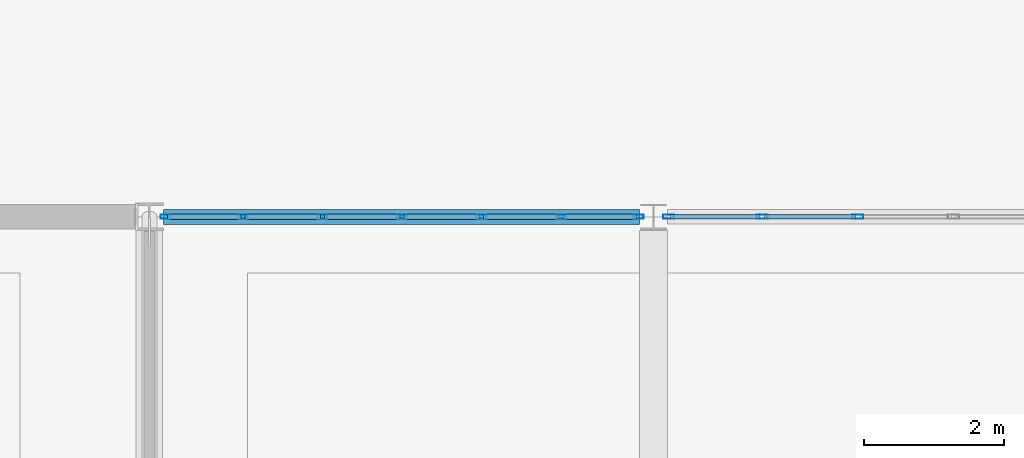
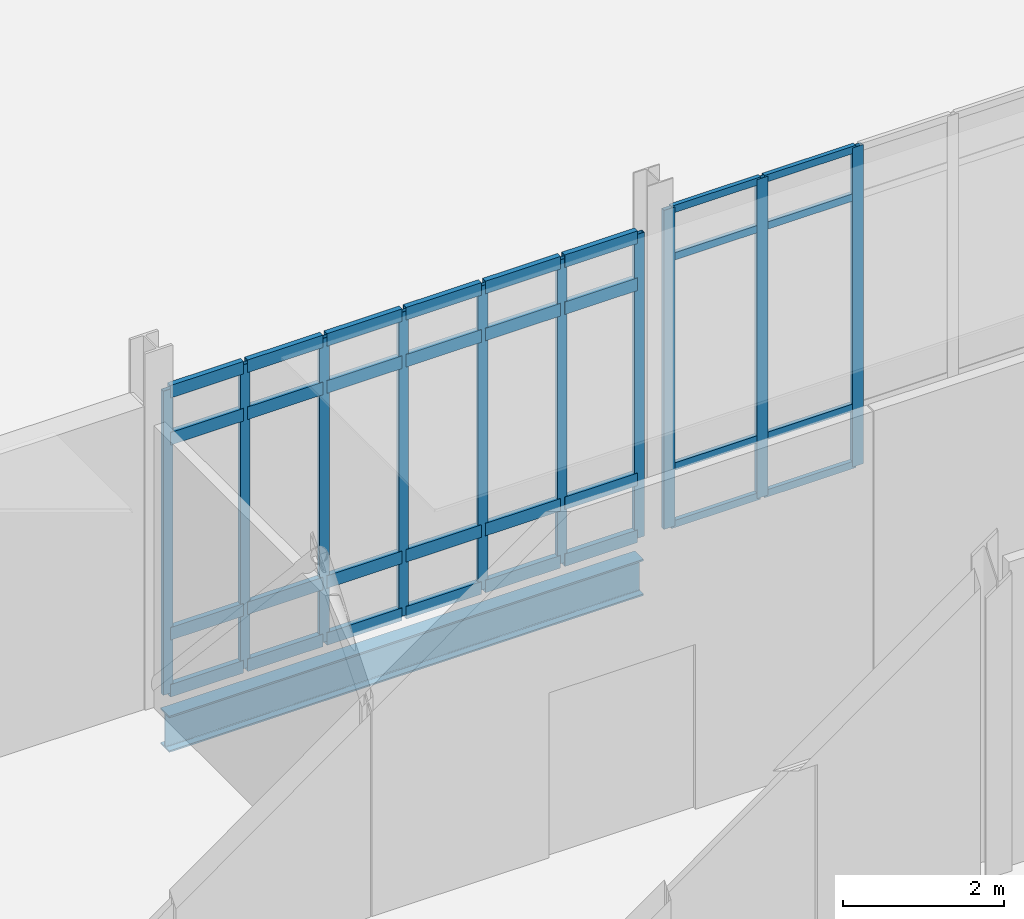
# One storey, part 127 of 229: 42 members, 1 beam, 2 elements without a shape of their own.
"""IFC4 building model written with IfcOpenShell, lengths in metres."""

import ifcopenshell
import ifcopenshell.guid

model = None  # the IFC model being written
_history = None  # IfcOwnerHistory: only IFC2X3 demands one
_inside = {}  # id of a spatial element -> (the spatial element, [elements in it])
_under = {}  # id of a project, library or spatial element -> (it, [spatial elements below it])
_declared = {}  # id of a project -> (the project, [libraries it declares])
_typed = {}  # id of a type object -> (the type object, [elements of that type])
_made_of = {}  # id of a material, layer set ... -> (it, [elements and type objects made of it])


def new_model(schema):
    """Start an empty IFC model of exactly this schema.

    Asked for "IFC4X3", IfcOpenShell would pick the latest addendum, in which some entities
    have other attributes; the version numbers below select the first issue.
    IFC2X3 requires an IfcOwnerHistory on every rooted entity: one is made here for all.
    """
    global model, _history
    if schema == "IFC4X3":
        model = ifcopenshell.file(schema_version=(4, 3, 0, 0))
    else:
        model = ifcopenshell.file(schema=schema)
    _inside.clear()
    _under.clear()
    _declared.clear()
    _typed.clear()
    _made_of.clear()
    _history = None
    if model.schema == "IFC2X3":
        org = make("IfcOrganization", Name="unknown")
        user = make(
            "IfcPersonAndOrganization",
            ThePerson=make("IfcPerson", FamilyName="unknown"),
            TheOrganization=org,
        )
        app = make(
            "IfcApplication",
            ApplicationDeveloper=org,
            Version="unknown",
            ApplicationFullName="unknown",
            ApplicationIdentifier="unknown",
        )
        _history = make(
            "IfcOwnerHistory",
            OwningUser=user,
            OwningApplication=app,
            ChangeAction="ADDED",
            CreationDate=0,
        )
    return model


def make(cls, **values):
    """One entity of the class cls with the attributes given. An attribute that is None is left unset."""
    return model.create_entity(
        cls, **{name: value for name, value in values.items() if value is not None}
    )


def rooted(cls, **values):
    """An entity with a GlobalId (a new one), such as an element, a storey or a relation."""
    return make(cls, GlobalId=ifcopenshell.guid.new(), OwnerHistory=_history, **values)


def si_unit(unit_type, name, prefix=None):
    """IfcSIUnit, for example si_unit("LENGTHUNIT", "METRE", prefix="MILLI")."""
    return make("IfcSIUnit", UnitType=unit_type, Prefix=prefix, Name=name)


def assignment(units):
    """IfcUnitAssignment: the units of a project."""
    return None if units is None else make("IfcUnitAssignment", Units=units)


def point(xyz):
    """IfcCartesianPoint."""
    return None if xyz is None else make("IfcCartesianPoint", Coordinates=xyz)


def direction(xyz):
    """IfcDirection."""
    return None if xyz is None else make("IfcDirection", DirectionRatios=xyz)


def frame(location, z_axis=None, x_axis=None):
    """IfcAxis2Placement3D, a coordinate frame: its origin and axes. An axis left out is left unset."""
    return make(
        "IfcAxis2Placement3D",
        Location=point(location),
        Axis=direction(z_axis),
        RefDirection=direction(x_axis),
    )


def frame_2d(location, x_axis=None):
    """IfcAxis2Placement2D, a coordinate frame in the plane: its origin and x axis."""
    return make(
        "IfcAxis2Placement2D", Location=point(location), RefDirection=direction(x_axis)
    )


def origin():
    """The frame at (0, 0, 0) with its axes left unset."""
    return frame((0.0, 0.0, 0.0))


def origin_2d():
    """The frame at (0, 0) in the plane with its x axis left unset."""
    return frame_2d((0.0, 0.0))


def place(relative_to, where):
    """IfcLocalPlacement: puts the frame where relative to a parent placement (None: the world)."""
    return make(
        "IfcLocalPlacement", PlacementRelTo=relative_to, RelativePlacement=where
    )


def context(
    kind, dimensions, precision=None, world=None, true_north=None, identifier=None
):
    """IfcGeometricRepresentationContext, for example the 3D "Model" context."""
    return make(
        "IfcGeometricRepresentationContext",
        ContextIdentifier=identifier,
        ContextType=kind,
        CoordinateSpaceDimension=dimensions,
        Precision=precision,
        WorldCoordinateSystem=world,
        TrueNorth=true_north,
    )


def subcontext(parent, identifier, kind, view, scale=None):
    """IfcGeometricRepresentationSubContext, for example "Body" below "Model"."""
    return make(
        "IfcGeometricRepresentationSubContext",
        ContextIdentifier=identifier,
        ContextType=kind,
        ParentContext=parent,
        TargetScale=scale,
        TargetView=view,
    )


def project(units=None, contexts=None):
    """IfcProject with its units and contexts."""
    return rooted(
        "IfcProject",
        Name="project",
        RepresentationContexts=contexts,
        UnitsInContext=assignment(units),
    )


def spatial(cls, under=None, at=None, **own):
    """A site, building, storey or space (cls), placed at a placement, below another one or the project."""
    s = rooted(cls, ObjectPlacement=at, **own)
    if under is not None:
        _under.setdefault(under.id(), (under, []))[1].append(s)
    return s


def profile(cls, at=None, kind="AREA", **sizes):
    """A parametric profile (cls). Its sizes go by their IFC names, for example OverallWidth=200.0."""
    return make(cls, ProfileType=kind, Position=at, **sizes)


def hollow_rectangle(**sizes):
    """IfcRectangleHollowProfileDef."""
    return profile("IfcRectangleHollowProfileDef", **sizes)


def i_section(**sizes):
    """IfcIShapeProfileDef."""
    return profile("IfcIShapeProfileDef", **sizes)


def extrude(swept, where, along, depth):
    """IfcExtrudedAreaSolid: the profile swept, set in the frame where, extruded along a direction by depth."""
    return make(
        "IfcExtrudedAreaSolid",
        SweptArea=swept,
        Position=where,
        ExtrudedDirection=direction(along),
        Depth=depth,
    )


def shape(context_of_items, identifier, shape_type, items):
    """IfcShapeRepresentation: the items that make up one representation, for example the "Body"."""
    return make(
        "IfcShapeRepresentation",
        ContextOfItems=context_of_items,
        RepresentationIdentifier=identifier,
        RepresentationType=shape_type,
        Items=items,
    )


def material(Name=None, Category=None):
    """IfcMaterial."""
    return make("IfcMaterial", Name=Name, Category=Category)


def layer(
    of_material, thickness, ventilated=None, Name=None, Category=None, Priority=None
):
    """IfcMaterialLayer: one layer of a wall or slab, of a material (None: an air gap)."""
    return make(
        "IfcMaterialLayer",
        Material=of_material,
        LayerThickness=thickness,
        IsVentilated=ventilated,
        Name=Name,
        Category=Category,
        Priority=Priority,
    )


def layer_set(layers, Name=None):
    """IfcMaterialLayerSet."""
    return make("IfcMaterialLayerSet", MaterialLayers=layers, LayerSetName=Name)


def material_profile(
    of_material, cross_section, Name=None, Category=None, Priority=None
):
    """IfcMaterialProfile: a cross section and its material."""
    return make(
        "IfcMaterialProfile",
        Name=Name,
        Material=of_material,
        Profile=cross_section,
        Priority=Priority,
        Category=Category,
    )


def profile_set(profiles, Name=None, composite=None):
    """IfcMaterialProfileSet."""
    return make(
        "IfcMaterialProfileSet",
        Name=Name,
        MaterialProfiles=profiles,
        CompositeProfile=composite,
    )


def made_of(thing, what):
    """Note that an element or type object is made of a material, layer set ...; save() writes the relation."""
    if what is not None:
        _made_of.setdefault(what.id(), (what, []))[1].append(thing)
    return thing


def type_object(cls, material=None, **own):
    """A type object (cls), such as IfcWallType, which elements share."""
    return made_of(rooted(cls, **own), material)


def element(
    cls,
    number,
    at=None,
    inside=None,
    cuts=None,
    type_object=None,
    material=None,
    context=None,
    identifier="Body",
    shape_type=None,
    held_by="IfcProductDefinitionShape",
    body=None,
    shapes=None,
    **own,
):
    """One element of the class cls, such as IfcWall. Its Tag is "e" and its number.

    at: its placement. inside: the storey or other place that contains it. cuts: it is an
    opening in that element (IfcRelVoidsElement). A single representation is given by context,
    identifier, shape_type and body (its items); several are given by shapes. held_by: the class
    of the entity that holds the representations. save() writes the other relations.
    """
    e = rooted(cls, Tag="e%d" % number, ObjectPlacement=at, **own)
    if body is not None:
        shapes = [shape(context, identifier, shape_type, body)]
    if shapes is not None:
        e.Representation = make(held_by, Representations=shapes)
    if inside is not None:
        _inside.setdefault(inside.id(), (inside, []))[1].append(e)
    if cuts is not None:
        rooted(
            "IfcRelVoidsElement", RelatingBuildingElement=cuts, RelatedOpeningElement=e
        )
    if type_object is not None:
        _typed.setdefault(type_object.id(), (type_object, []))[1].append(e)
    return made_of(e, material)


def aggregate(whole, parts):
    """IfcRelAggregates: a whole, such as a stair, and the parts it consists of."""
    return rooted("IfcRelAggregates", RelatingObject=whole, RelatedObjects=parts)


def save(model, path):
    """Write the relations noted so far, then the file.

    IfcRelAggregates (storeys below a building ...), IfcRelContainedInSpatialStructure (elements
    in a storey), IfcRelDefinesByType, IfcRelAssociatesMaterial and IfcRelDeclares: one each for
    every whole, place, type object, material and project.
    """
    for whole, parts in _under.values():
        aggregate(whole, parts)
    for where, things in _inside.values():
        rooted(
            "IfcRelContainedInSpatialStructure",
            RelatedElements=things,
            RelatingStructure=where,
        )
    for kind, things in _typed.values():
        rooted("IfcRelDefinesByType", RelatedObjects=things, RelatingType=kind)
    for what, things in _made_of.values():
        rooted("IfcRelAssociatesMaterial", RelatedObjects=things, RelatingMaterial=what)
    for by, libraries in _declared.values():
        rooted("IfcRelDeclares", RelatingContext=by, RelatedDefinitions=libraries)
    model.write(path)


model = new_model("IFC4")

# Units and contexts
model_context = context("Model", 3, precision=1e-05, world=origin(), true_north=direction((0.0, 1.0)))
body_context = subcontext(model_context, "Body", "Model", "MODEL_VIEW")
ifc_project = project(units=[si_unit("LENGTHUNIT", "METRE"), si_unit("AREAUNIT", "SQUARE_METRE"), si_unit("VOLUMEUNIT", "CUBIC_METRE"), si_unit("PLANEANGLEUNIT", "RADIAN"), si_unit("MASSUNIT", "GRAM", prefix="KILO")], contexts=[model_context])

# Site, building, storey
site_placement = place(None, origin())
site = spatial("IfcSite", under=ifc_project, at=site_placement, CompositionType="ELEMENT")
building_placement = place(site_placement, origin())
building = spatial("IfcBuilding", under=site, at=building_placement, Name="Calvrana Isthmian Art Gallery", CompositionType="ELEMENT")
storey_placement = place(building_placement, origin())
storey = spatial("IfcBuildingStorey", under=building, at=storey_placement, Name="L00", CompositionType="ELEMENT", Elevation=0.0)

# Beam
ifc_material_1 = material(Name="Steel ASTM A992 Gr 50", Category="steel")
ifc_material_profile_1 = material_profile(ifc_material_1, i_section(OverallWidth=0.214111328125, OverallDepth=0.549072265625, WebThickness=0.0146484375, FlangeThickness=0.023681640625, FilletRadius=0.02099609375, at=origin_2d()), Name="W21X93")
ifc_profile_set_1 = profile_set([ifc_material_profile_1], Name="Steel ASTM A992 Gr 50")
beam_type = type_object("IfcBeamType", Name="BM-G-W21X93", PredefinedType="BEAM", material=ifc_profile_set_1)
beam_placement = place(storey_placement, frame((141.799560546875, 46.800048828125, -0.5595703125), z_axis=(1.0, 0.0, 0.0), x_axis=(0.0, 1.0, 0.0)))
element("IfcBeam", 1, at=beam_placement, inside=storey, type_object=beam_type, Name="Girder X L00 19-20/G", PredefinedType="BEAM", context=body_context, shape_type="SweptSolid", body=[
    extrude(i_section(OverallWidth=0.214111328125, OverallDepth=0.549072265625, WebThickness=0.0146484375, FlangeThickness=0.023681640625, FilletRadius=0.02099609375, at=origin_2d()), origin(), (0.0, 0.0, 1.0), 6.801025390625),
])

# Curtain wall, members
ifc_material_2 = material(Name="Anodized bronze aluminium 6063-T6", Category="aluminium")
ifc_layer_1 = layer(ifc_material_2, 0.179931640625, Name="Anodized bronze aluminium 6063-T6")
ifc_layer_set_1 = layer_set([ifc_layer_1], Name="Anodized bronze aluminium 6063-T6")
curtain_wall_type_1 = type_object("IfcCurtainWallType", Name="CW-UNIT-068X46", PredefinedType="USERDEFINED", material=ifc_layer_set_1)
curtain_wall_1_placement = place(storey_placement, origin())
curtain_wall_1 = element("IfcCurtainWall", 2, at=curtain_wall_1_placement, inside=storey, type_object=curtain_wall_type_1, Name="Curtain wall CW-024", ObjectType="UNITISED CURTAIN WALL", PredefinedType="USERDEFINED")
ifc_material_profile_2 = material_profile(ifc_material_2, hollow_rectangle(XDim=0.06005859375, YDim=0.139892578125, WallThickness=0.00390625, at=origin_2d()), Name="CWM60X140")
ifc_profile_set_2 = profile_set([ifc_material_profile_2], Name="Anodized bronze aluminium 6063-T6")
member_type_1 = type_object("IfcMemberType", Name="CWM-CWM60X140", PredefinedType="MULLION", material=ifc_profile_set_2)
member_1_placement = place(storey_placement, frame((141.82958984375, 46.800048828125, 0.0), z_axis=(0.0, 0.0, 1.0), x_axis=(0.0, 1.0, 0.0)))
member_1 = element("IfcMember", 3, at=member_1_placement, type_object=member_type_1, Name="CW-024 mullion 1", PredefinedType="MULLION", context=body_context, shape_type="SweptSolid", body=[
    extrude(hollow_rectangle(XDim=0.06005859375, YDim=0.139892578125, WallThickness=0.00390625, at=origin_2d()), origin(), (0.0, 0.0, 1.0), 4.60693359375),
])
member_2_placement = place(storey_placement, frame((142.935546875, 46.800048828125, 0.0), z_axis=(0.0, 0.0, 1.0), x_axis=(0.0, 1.0, 0.0)))
member_2 = element("IfcMember", 4, at=member_2_placement, type_object=member_type_1, Name="CW-024 mullion 2", PredefinedType="MULLION", context=body_context, shape_type="SweptSolid", body=[
    extrude(hollow_rectangle(XDim=0.06005859375, YDim=0.139892578125, WallThickness=0.00390625, at=origin_2d()), origin(), (0.0, 0.0, 1.0), 4.60693359375),
])
member_3_placement = place(storey_placement, frame((144.07177734375, 46.800048828125, 0.0), z_axis=(0.0, 0.0, 1.0), x_axis=(0.0, 1.0, 0.0)))
member_3 = element("IfcMember", 5, at=member_3_placement, type_object=member_type_1, Name="CW-024 mullion 3", PredefinedType="MULLION", context=body_context, shape_type="SweptSolid", body=[
    extrude(hollow_rectangle(XDim=0.06005859375, YDim=0.139892578125, WallThickness=0.00390625, at=origin_2d()), origin(), (0.0, 0.0, 1.0), 4.60693359375),
])
member_4_placement = place(storey_placement, frame((145.207763671875, 46.800048828125, 0.0), z_axis=(0.0, 0.0, 1.0), x_axis=(0.0, 1.0, 0.0)))
member_4 = element("IfcMember", 6, at=member_4_placement, type_object=member_type_1, Name="CW-024 mullion 4", PredefinedType="MULLION", context=body_context, shape_type="SweptSolid", body=[
    extrude(hollow_rectangle(XDim=0.06005859375, YDim=0.139892578125, WallThickness=0.00390625, at=origin_2d()), origin(), (0.0, 0.0, 1.0), 4.60693359375),
])
member_5_placement = place(storey_placement, frame((146.34375, 46.800048828125, 0.0), z_axis=(0.0, 0.0, 1.0), x_axis=(0.0, 1.0, 0.0)))
member_5 = element("IfcMember", 7, at=member_5_placement, type_object=member_type_1, Name="CW-024 mullion 5", PredefinedType="MULLION", context=body_context, shape_type="SweptSolid", body=[
    extrude(hollow_rectangle(XDim=0.06005859375, YDim=0.139892578125, WallThickness=0.00390625, at=origin_2d()), origin(), (0.0, 0.0, 1.0), 4.60693359375),
])
member_6_placement = place(storey_placement, frame((147.47998046875, 46.800048828125, 0.0), z_axis=(0.0, 0.0, 1.0), x_axis=(0.0, 1.0, 0.0)))
member_6 = element("IfcMember", 8, at=member_6_placement, type_object=member_type_1, Name="CW-024 mullion 6", PredefinedType="MULLION", context=body_context, shape_type="SweptSolid", body=[
    extrude(hollow_rectangle(XDim=0.06005859375, YDim=0.139892578125, WallThickness=0.00390625, at=origin_2d()), origin(), (0.0, 0.0, 1.0), 4.60693359375),
])
member_7_placement = place(storey_placement, frame((148.5859375, 46.800048828125, 0.0), z_axis=(0.0, 0.0, 1.0), x_axis=(0.0, 1.0, 0.0)))
member_7 = element("IfcMember", 9, at=member_7_placement, type_object=member_type_1, Name="CW-024 mullion 7", PredefinedType="MULLION", context=body_context, shape_type="SweptSolid", body=[
    extrude(hollow_rectangle(XDim=0.06005859375, YDim=0.139892578125, WallThickness=0.00390625, at=origin_2d()), origin(), (0.0, 0.0, 1.0), 4.60693359375),
])

ifc_layer_2 = layer(ifc_material_2, 0.179931640625, Name="Anodized bronze aluminium 6063-T6")
ifc_layer_set_2 = layer_set([ifc_layer_2], Name="Anodized bronze aluminium 6063-T6")
curtain_wall_type_2 = type_object("IfcCurtainWallType", Name="CW-UNIT-068X48", PredefinedType="USERDEFINED", material=ifc_layer_set_2)
curtain_wall_2_placement = place(storey_placement, origin())
curtain_wall_2 = element("IfcCurtainWall", 10, at=curtain_wall_2_placement, inside=storey, type_object=curtain_wall_type_2, Name="Curtain wall CW-025", ObjectType="UNITISED CURTAIN WALL", PredefinedType="USERDEFINED")
ifc_material_profile_3 = material_profile(ifc_material_2, hollow_rectangle(XDim=0.06005859375, YDim=0.159912109375, WallThickness=0.00390625, at=origin_2d()), Name="CWM60X160")
ifc_profile_set_3 = profile_set([ifc_material_profile_3], Name="Anodized bronze aluminium 6063-T6")
member_type_2 = type_object("IfcMemberType", Name="CWM-CWM60X160", PredefinedType="MULLION", material=ifc_profile_set_3)
member_8_placement = place(storey_placement, frame((149.013916015625, 46.800048828125, 0.0), z_axis=(0.0, 0.0, 1.0), x_axis=(0.0, 1.0, 0.0)))
member_8 = element("IfcMember", 11, at=member_8_placement, type_object=member_type_2, Name="CW-025 mullion 1", PredefinedType="MULLION", context=body_context, shape_type="SweptSolid", body=[
    extrude(hollow_rectangle(XDim=0.06005859375, YDim=0.159912109375, WallThickness=0.00390625, at=origin_2d()), origin(), (0.0, 0.0, 1.0), 4.835205078125),
])
member_9_placement = place(storey_placement, frame((150.349853515625, 46.800048828125, 0.0), z_axis=(0.0, 0.0, 1.0), x_axis=(0.0, 1.0, 0.0)))
member_9 = element("IfcMember", 12, at=member_9_placement, type_object=member_type_2, Name="CW-025 mullion 2", PredefinedType="MULLION", context=body_context, shape_type="SweptSolid", body=[
    extrude(hollow_rectangle(XDim=0.06005859375, YDim=0.159912109375, WallThickness=0.00390625, at=origin_2d()), origin(), (0.0, 0.0, 1.0), 4.835205078125),
])
member_10_placement = place(storey_placement, frame((151.7158203125, 46.800048828125, 0.0), z_axis=(0.0, 0.0, 1.0), x_axis=(0.0, 1.0, 0.0)))
member_10 = element("IfcMember", 13, at=member_10_placement, type_object=member_type_2, Name="CW-025 mullion 3", PredefinedType="MULLION", context=body_context, shape_type="SweptSolid", body=[
    extrude(hollow_rectangle(XDim=0.06005859375, YDim=0.159912109375, WallThickness=0.00390625, at=origin_2d()), origin(), (0.0, 0.0, 1.0), 4.835205078125),
])
ifc_material_profile_4 = material_profile(ifc_material_2, hollow_rectangle(XDim=0.06005859375, YDim=0.110107421875, WallThickness=0.00341796875, at=origin_2d()), Name="CWT60X110")
ifc_profile_set_4 = profile_set([ifc_material_profile_4], Name="Anodized bronze aluminium 6063-T6")
member_type_3 = type_object("IfcMemberType", Name="CWT-CWT60X110", PredefinedType="USERDEFINED", material=ifc_profile_set_4)
member_11_placement = place(storey_placement, frame((149.0439453125, 46.800048828125, 0.030029296875), z_axis=(1.0, 0.0, 0.0), x_axis=(0.0, 1.0, 0.0)))
member_11 = element("IfcMember", 14, at=member_11_placement, type_object=member_type_3, Name="CW-025 transom 1.1", ObjectType="TRANSOM", PredefinedType="USERDEFINED", context=body_context, shape_type="SweptSolid", body=[
    extrude(hollow_rectangle(XDim=0.06005859375, YDim=0.110107421875, WallThickness=0.00341796875, at=origin_2d()), origin(), (0.0, 0.0, 1.0), 1.27587890625),
])
member_12_placement = place(storey_placement, frame((149.0439453125, 46.800048828125, 0.89990234375), z_axis=(1.0, 0.0, 0.0), x_axis=(0.0, 1.0, 0.0)))
member_12 = element("IfcMember", 15, at=member_12_placement, type_object=member_type_3, Name="CW-025 transom 1.2", ObjectType="TRANSOM", PredefinedType="USERDEFINED", context=body_context, shape_type="SweptSolid", body=[
    extrude(hollow_rectangle(XDim=0.06005859375, YDim=0.110107421875, WallThickness=0.00341796875, at=origin_2d()), origin(), (0.0, 0.0, 1.0), 1.27587890625),
])
member_13_placement = place(storey_placement, frame((149.0439453125, 46.800048828125, 4.085205078125), z_axis=(1.0, 0.0, 0.0), x_axis=(0.0, 1.0, 0.0)))
member_13 = element("IfcMember", 16, at=member_13_placement, type_object=member_type_3, Name="CW-025 transom 1.3", ObjectType="TRANSOM", PredefinedType="USERDEFINED", context=body_context, shape_type="SweptSolid", body=[
    extrude(hollow_rectangle(XDim=0.06005859375, YDim=0.110107421875, WallThickness=0.00341796875, at=origin_2d()), origin(), (0.0, 0.0, 1.0), 1.27587890625),
])
member_14_placement = place(storey_placement, frame((149.0439453125, 46.800048828125, 4.80517578125), z_axis=(1.0, 0.0, 0.0), x_axis=(0.0, 1.0, 0.0)))
member_14 = element("IfcMember", 17, at=member_14_placement, type_object=member_type_3, Name="CW-025 transom 1.4", ObjectType="TRANSOM", PredefinedType="USERDEFINED", context=body_context, shape_type="SweptSolid", body=[
    extrude(hollow_rectangle(XDim=0.06005859375, YDim=0.110107421875, WallThickness=0.00341796875, at=origin_2d()), origin(), (0.0, 0.0, 1.0), 1.27587890625),
])
member_15_placement = place(storey_placement, frame((150.3798828125, 46.800048828125, 0.030029296875), z_axis=(1.0, 0.0, 0.0), x_axis=(0.0, 1.0, 0.0)))
member_15 = element("IfcMember", 18, at=member_15_placement, type_object=member_type_3, Name="CW-025 transom 2.1", ObjectType="TRANSOM", PredefinedType="USERDEFINED", context=body_context, shape_type="SweptSolid", body=[
    extrude(hollow_rectangle(XDim=0.06005859375, YDim=0.110107421875, WallThickness=0.00341796875, at=origin_2d()), origin(), (0.0, 0.0, 1.0), 1.305908203125),
])
member_16_placement = place(storey_placement, frame((150.3798828125, 46.800048828125, 0.89990234375), z_axis=(1.0, 0.0, 0.0), x_axis=(0.0, 1.0, 0.0)))
member_16 = element("IfcMember", 19, at=member_16_placement, type_object=member_type_3, Name="CW-025 transom 2.2", ObjectType="TRANSOM", PredefinedType="USERDEFINED", context=body_context, shape_type="SweptSolid", body=[
    extrude(hollow_rectangle(XDim=0.06005859375, YDim=0.110107421875, WallThickness=0.00341796875, at=origin_2d()), origin(), (0.0, 0.0, 1.0), 1.305908203125),
])
member_17_placement = place(storey_placement, frame((150.3798828125, 46.800048828125, 4.085205078125), z_axis=(1.0, 0.0, 0.0), x_axis=(0.0, 1.0, 0.0)))
member_17 = element("IfcMember", 20, at=member_17_placement, type_object=member_type_3, Name="CW-025 transom 2.3", ObjectType="TRANSOM", PredefinedType="USERDEFINED", context=body_context, shape_type="SweptSolid", body=[
    extrude(hollow_rectangle(XDim=0.06005859375, YDim=0.110107421875, WallThickness=0.00341796875, at=origin_2d()), origin(), (0.0, 0.0, 1.0), 1.305908203125),
])
member_18_placement = place(storey_placement, frame((150.3798828125, 46.800048828125, 4.80517578125), z_axis=(1.0, 0.0, 0.0), x_axis=(0.0, 1.0, 0.0)))
member_18 = element("IfcMember", 21, at=member_18_placement, type_object=member_type_3, Name="CW-025 transom 2.4", ObjectType="TRANSOM", PredefinedType="USERDEFINED", context=body_context, shape_type="SweptSolid", body=[
    extrude(hollow_rectangle(XDim=0.06005859375, YDim=0.110107421875, WallThickness=0.00341796875, at=origin_2d()), origin(), (0.0, 0.0, 1.0), 1.305908203125),
])
aggregate(curtain_wall_2, [member_8, member_9, member_10, member_11, member_12, member_13, member_14, member_15, member_16, member_17, member_18])

# Member
ifc_material_profile_5 = material_profile(ifc_material_2, hollow_rectangle(XDim=0.074951171875, YDim=0.18994140625, WallThickness=0.00439453125, at=origin_2d()), Name="CWT75X190")
ifc_profile_set_5 = profile_set([ifc_material_profile_5], Name="Anodized bronze aluminium 6063-T6")
member_type_4 = type_object("IfcMemberType", Name="CWT-CWT75X190", PredefinedType="USERDEFINED", material=ifc_profile_set_5)
member_19_placement = place(storey_placement, frame((141.859619140625, 46.800048828125, 0.03759765625), z_axis=(1.0, 0.0, 0.0), x_axis=(0.0, 1.0, 0.0)))
member_19 = element("IfcMember", 22, at=member_19_placement, type_object=member_type_4, Name="CW-024 transom 1.1", ObjectType="TRANSOM", PredefinedType="USERDEFINED", context=body_context, shape_type="SweptSolid", body=[
    extrude(hollow_rectangle(XDim=0.074951171875, YDim=0.18994140625, WallThickness=0.00439453125, at=origin_2d()), origin(), (0.0, 0.0, 1.0), 1.0458984375),
])

member_20_placement = place(storey_placement, frame((141.859619140625, 46.800048828125, 0.89990234375), z_axis=(1.0, 0.0, 0.0), x_axis=(0.0, 1.0, 0.0)))
member_20 = element("IfcMember", 23, at=member_20_placement, type_object=member_type_4, Name="CW-024 transom 1.2", ObjectType="TRANSOM", PredefinedType="USERDEFINED", context=body_context, shape_type="SweptSolid", body=[
    extrude(hollow_rectangle(XDim=0.074951171875, YDim=0.18994140625, WallThickness=0.00439453125, at=origin_2d()), origin(), (0.0, 0.0, 1.0), 1.0458984375),
])

member_21_placement = place(storey_placement, frame((141.859619140625, 46.800048828125, 3.85693359375), z_axis=(1.0, 0.0, 0.0), x_axis=(0.0, 1.0, 0.0)))
member_21 = element("IfcMember", 24, at=member_21_placement, type_object=member_type_4, Name="CW-024 transom 1.3", ObjectType="TRANSOM", PredefinedType="USERDEFINED", context=body_context, shape_type="SweptSolid", body=[
    extrude(hollow_rectangle(XDim=0.074951171875, YDim=0.18994140625, WallThickness=0.00439453125, at=origin_2d()), origin(), (0.0, 0.0, 1.0), 1.0458984375),
])

member_22_placement = place(storey_placement, frame((141.859619140625, 46.800048828125, 4.569580078125), z_axis=(1.0, 0.0, 0.0), x_axis=(0.0, 1.0, 0.0)))
member_22 = element("IfcMember", 25, at=member_22_placement, type_object=member_type_4, Name="CW-024 transom 1.4", ObjectType="TRANSOM", PredefinedType="USERDEFINED", context=body_context, shape_type="SweptSolid", body=[
    extrude(hollow_rectangle(XDim=0.074951171875, YDim=0.18994140625, WallThickness=0.00439453125, at=origin_2d()), origin(), (0.0, 0.0, 1.0), 1.0458984375),
])

member_23_placement = place(storey_placement, frame((142.965576171875, 46.800048828125, 0.03759765625), z_axis=(1.0, 0.0, 0.0), x_axis=(0.0, 1.0, 0.0)))
member_23 = element("IfcMember", 26, at=member_23_placement, type_object=member_type_4, Name="CW-024 transom 2.1", ObjectType="TRANSOM", PredefinedType="USERDEFINED", context=body_context, shape_type="SweptSolid", body=[
    extrude(hollow_rectangle(XDim=0.074951171875, YDim=0.18994140625, WallThickness=0.00439453125, at=origin_2d()), origin(), (0.0, 0.0, 1.0), 1.076171875),
])

member_24_placement = place(storey_placement, frame((142.965576171875, 46.800048828125, 0.89990234375), z_axis=(1.0, 0.0, 0.0), x_axis=(0.0, 1.0, 0.0)))
member_24 = element("IfcMember", 27, at=member_24_placement, type_object=member_type_4, Name="CW-024 transom 2.2", ObjectType="TRANSOM", PredefinedType="USERDEFINED", context=body_context, shape_type="SweptSolid", body=[
    extrude(hollow_rectangle(XDim=0.074951171875, YDim=0.18994140625, WallThickness=0.00439453125, at=origin_2d()), origin(), (0.0, 0.0, 1.0), 1.076171875),
])

member_25_placement = place(storey_placement, frame((142.965576171875, 46.800048828125, 3.85693359375), z_axis=(1.0, 0.0, 0.0), x_axis=(0.0, 1.0, 0.0)))
member_25 = element("IfcMember", 28, at=member_25_placement, type_object=member_type_4, Name="CW-024 transom 2.3", ObjectType="TRANSOM", PredefinedType="USERDEFINED", context=body_context, shape_type="SweptSolid", body=[
    extrude(hollow_rectangle(XDim=0.074951171875, YDim=0.18994140625, WallThickness=0.00439453125, at=origin_2d()), origin(), (0.0, 0.0, 1.0), 1.076171875),
])

member_26_placement = place(storey_placement, frame((142.965576171875, 46.800048828125, 4.569580078125), z_axis=(1.0, 0.0, 0.0), x_axis=(0.0, 1.0, 0.0)))
member_26 = element("IfcMember", 29, at=member_26_placement, type_object=member_type_4, Name="CW-024 transom 2.4", ObjectType="TRANSOM", PredefinedType="USERDEFINED", context=body_context, shape_type="SweptSolid", body=[
    extrude(hollow_rectangle(XDim=0.074951171875, YDim=0.18994140625, WallThickness=0.00439453125, at=origin_2d()), origin(), (0.0, 0.0, 1.0), 1.076171875),
])

member_27_placement = place(storey_placement, frame((144.1015625, 46.800048828125, 0.03759765625), z_axis=(1.0, 0.0, 0.0), x_axis=(0.0, 1.0, 0.0)))
member_27 = element("IfcMember", 30, at=member_27_placement, type_object=member_type_4, Name="CW-024 transom 3.1", ObjectType="TRANSOM", PredefinedType="USERDEFINED", context=body_context, shape_type="SweptSolid", body=[
    extrude(hollow_rectangle(XDim=0.074951171875, YDim=0.18994140625, WallThickness=0.00439453125, at=origin_2d()), origin(), (0.0, 0.0, 1.0), 1.076171875),
])

member_28_placement = place(storey_placement, frame((144.1015625, 46.800048828125, 0.89990234375), z_axis=(1.0, 0.0, 0.0), x_axis=(0.0, 1.0, 0.0)))
member_28 = element("IfcMember", 31, at=member_28_placement, type_object=member_type_4, Name="CW-024 transom 3.2", ObjectType="TRANSOM", PredefinedType="USERDEFINED", context=body_context, shape_type="SweptSolid", body=[
    extrude(hollow_rectangle(XDim=0.074951171875, YDim=0.18994140625, WallThickness=0.00439453125, at=origin_2d()), origin(), (0.0, 0.0, 1.0), 1.076171875),
])

member_29_placement = place(storey_placement, frame((144.1015625, 46.800048828125, 3.85693359375), z_axis=(1.0, 0.0, 0.0), x_axis=(0.0, 1.0, 0.0)))
member_29 = element("IfcMember", 32, at=member_29_placement, type_object=member_type_4, Name="CW-024 transom 3.3", ObjectType="TRANSOM", PredefinedType="USERDEFINED", context=body_context, shape_type="SweptSolid", body=[
    extrude(hollow_rectangle(XDim=0.074951171875, YDim=0.18994140625, WallThickness=0.00439453125, at=origin_2d()), origin(), (0.0, 0.0, 1.0), 1.076171875),
])

member_30_placement = place(storey_placement, frame((144.1015625, 46.800048828125, 4.569580078125), z_axis=(1.0, 0.0, 0.0), x_axis=(0.0, 1.0, 0.0)))
member_30 = element("IfcMember", 33, at=member_30_placement, type_object=member_type_4, Name="CW-024 transom 3.4", ObjectType="TRANSOM", PredefinedType="USERDEFINED", context=body_context, shape_type="SweptSolid", body=[
    extrude(hollow_rectangle(XDim=0.074951171875, YDim=0.18994140625, WallThickness=0.00439453125, at=origin_2d()), origin(), (0.0, 0.0, 1.0), 1.076171875),
])

member_31_placement = place(storey_placement, frame((145.23779296875, 46.800048828125, 0.03759765625), z_axis=(1.0, 0.0, 0.0), x_axis=(0.0, 1.0, 0.0)))
member_31 = element("IfcMember", 34, at=member_31_placement, type_object=member_type_4, Name="CW-024 transom 4.1", ObjectType="TRANSOM", PredefinedType="USERDEFINED", context=body_context, shape_type="SweptSolid", body=[
    extrude(hollow_rectangle(XDim=0.074951171875, YDim=0.18994140625, WallThickness=0.00439453125, at=origin_2d()), origin(), (0.0, 0.0, 1.0), 1.075927734375),
])

member_32_placement = place(storey_placement, frame((145.23779296875, 46.800048828125, 0.89990234375), z_axis=(1.0, 0.0, 0.0), x_axis=(0.0, 1.0, 0.0)))
member_32 = element("IfcMember", 35, at=member_32_placement, type_object=member_type_4, Name="CW-024 transom 4.2", ObjectType="TRANSOM", PredefinedType="USERDEFINED", context=body_context, shape_type="SweptSolid", body=[
    extrude(hollow_rectangle(XDim=0.074951171875, YDim=0.18994140625, WallThickness=0.00439453125, at=origin_2d()), origin(), (0.0, 0.0, 1.0), 1.075927734375),
])

member_33_placement = place(storey_placement, frame((145.23779296875, 46.800048828125, 3.85693359375), z_axis=(1.0, 0.0, 0.0), x_axis=(0.0, 1.0, 0.0)))
member_33 = element("IfcMember", 36, at=member_33_placement, type_object=member_type_4, Name="CW-024 transom 4.3", ObjectType="TRANSOM", PredefinedType="USERDEFINED", context=body_context, shape_type="SweptSolid", body=[
    extrude(hollow_rectangle(XDim=0.074951171875, YDim=0.18994140625, WallThickness=0.00439453125, at=origin_2d()), origin(), (0.0, 0.0, 1.0), 1.075927734375),
])

member_34_placement = place(storey_placement, frame((145.23779296875, 46.800048828125, 4.569580078125), z_axis=(1.0, 0.0, 0.0), x_axis=(0.0, 1.0, 0.0)))
member_34 = element("IfcMember", 37, at=member_34_placement, type_object=member_type_4, Name="CW-024 transom 4.4", ObjectType="TRANSOM", PredefinedType="USERDEFINED", context=body_context, shape_type="SweptSolid", body=[
    extrude(hollow_rectangle(XDim=0.074951171875, YDim=0.18994140625, WallThickness=0.00439453125, at=origin_2d()), origin(), (0.0, 0.0, 1.0), 1.075927734375),
])

member_35_placement = place(storey_placement, frame((146.373779296875, 46.800048828125, 0.03759765625), z_axis=(1.0, 0.0, 0.0), x_axis=(0.0, 1.0, 0.0)))
member_35 = element("IfcMember", 38, at=member_35_placement, type_object=member_type_4, Name="CW-024 transom 5.1", ObjectType="TRANSOM", PredefinedType="USERDEFINED", context=body_context, shape_type="SweptSolid", body=[
    extrude(hollow_rectangle(XDim=0.074951171875, YDim=0.18994140625, WallThickness=0.00439453125, at=origin_2d()), origin(), (0.0, 0.0, 1.0), 1.076171875),
])

member_36_placement = place(storey_placement, frame((146.373779296875, 46.800048828125, 0.89990234375), z_axis=(1.0, 0.0, 0.0), x_axis=(0.0, 1.0, 0.0)))
member_36 = element("IfcMember", 39, at=member_36_placement, type_object=member_type_4, Name="CW-024 transom 5.2", ObjectType="TRANSOM", PredefinedType="USERDEFINED", context=body_context, shape_type="SweptSolid", body=[
    extrude(hollow_rectangle(XDim=0.074951171875, YDim=0.18994140625, WallThickness=0.00439453125, at=origin_2d()), origin(), (0.0, 0.0, 1.0), 1.076171875),
])

member_37_placement = place(storey_placement, frame((146.373779296875, 46.800048828125, 3.85693359375), z_axis=(1.0, 0.0, 0.0), x_axis=(0.0, 1.0, 0.0)))
member_37 = element("IfcMember", 40, at=member_37_placement, type_object=member_type_4, Name="CW-024 transom 5.3", ObjectType="TRANSOM", PredefinedType="USERDEFINED", context=body_context, shape_type="SweptSolid", body=[
    extrude(hollow_rectangle(XDim=0.074951171875, YDim=0.18994140625, WallThickness=0.00439453125, at=origin_2d()), origin(), (0.0, 0.0, 1.0), 1.076171875),
])

member_38_placement = place(storey_placement, frame((146.373779296875, 46.800048828125, 4.569580078125), z_axis=(1.0, 0.0, 0.0), x_axis=(0.0, 1.0, 0.0)))
member_38 = element("IfcMember", 41, at=member_38_placement, type_object=member_type_4, Name="CW-024 transom 5.4", ObjectType="TRANSOM", PredefinedType="USERDEFINED", context=body_context, shape_type="SweptSolid", body=[
    extrude(hollow_rectangle(XDim=0.074951171875, YDim=0.18994140625, WallThickness=0.00439453125, at=origin_2d()), origin(), (0.0, 0.0, 1.0), 1.076171875),
])

member_39_placement = place(storey_placement, frame((147.510009765625, 46.800048828125, 0.03759765625), z_axis=(1.0, 0.0, 0.0), x_axis=(0.0, 1.0, 0.0)))
member_39 = element("IfcMember", 42, at=member_39_placement, type_object=member_type_4, Name="CW-024 transom 6.1", ObjectType="TRANSOM", PredefinedType="USERDEFINED", context=body_context, shape_type="SweptSolid", body=[
    extrude(hollow_rectangle(XDim=0.074951171875, YDim=0.18994140625, WallThickness=0.00439453125, at=origin_2d()), origin(), (0.0, 0.0, 1.0), 1.0458984375),
])

member_40_placement = place(storey_placement, frame((147.510009765625, 46.800048828125, 0.89990234375), z_axis=(1.0, 0.0, 0.0), x_axis=(0.0, 1.0, 0.0)))
member_40 = element("IfcMember", 43, at=member_40_placement, type_object=member_type_4, Name="CW-024 transom 6.2", ObjectType="TRANSOM", PredefinedType="USERDEFINED", context=body_context, shape_type="SweptSolid", body=[
    extrude(hollow_rectangle(XDim=0.074951171875, YDim=0.18994140625, WallThickness=0.00439453125, at=origin_2d()), origin(), (0.0, 0.0, 1.0), 1.0458984375),
])

member_41_placement = place(storey_placement, frame((147.510009765625, 46.800048828125, 3.85693359375), z_axis=(1.0, 0.0, 0.0), x_axis=(0.0, 1.0, 0.0)))
member_41 = element("IfcMember", 44, at=member_41_placement, type_object=member_type_4, Name="CW-024 transom 6.3", ObjectType="TRANSOM", PredefinedType="USERDEFINED", context=body_context, shape_type="SweptSolid", body=[
    extrude(hollow_rectangle(XDim=0.074951171875, YDim=0.18994140625, WallThickness=0.00439453125, at=origin_2d()), origin(), (0.0, 0.0, 1.0), 1.0458984375),
])

member_42_placement = place(storey_placement, frame((147.510009765625, 46.800048828125, 4.569580078125), z_axis=(1.0, 0.0, 0.0), x_axis=(0.0, 1.0, 0.0)))
member_42 = element("IfcMember", 45, at=member_42_placement, type_object=member_type_4, Name="CW-024 transom 6.4", ObjectType="TRANSOM", PredefinedType="USERDEFINED", context=body_context, shape_type="SweptSolid", body=[
    extrude(hollow_rectangle(XDim=0.074951171875, YDim=0.18994140625, WallThickness=0.00439453125, at=origin_2d()), origin(), (0.0, 0.0, 1.0), 1.0458984375),
])

aggregate(curtain_wall_1, [member_1, member_2, member_3, member_4, member_5, member_6, member_7, member_19, member_20, member_21, member_22, member_23, member_24, member_25, member_26, member_27, member_28, member_29, member_30, member_31, member_32, member_33, member_34, member_35, member_36, member_37, member_38, member_39, member_40, member_41, member_42])

save(model, "model.ifc")
